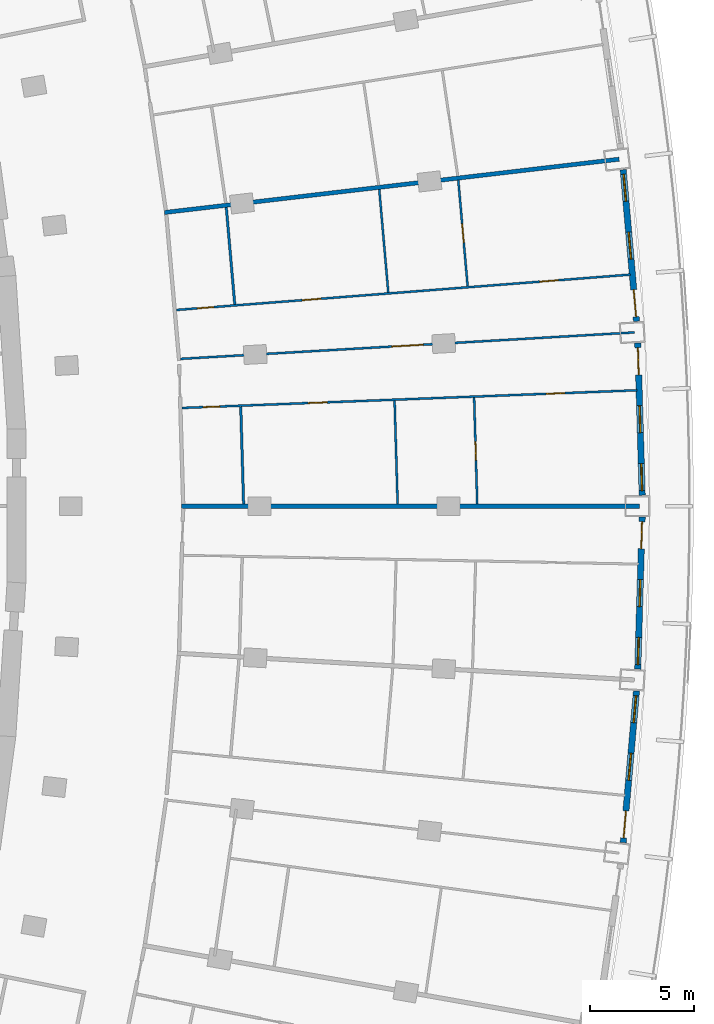
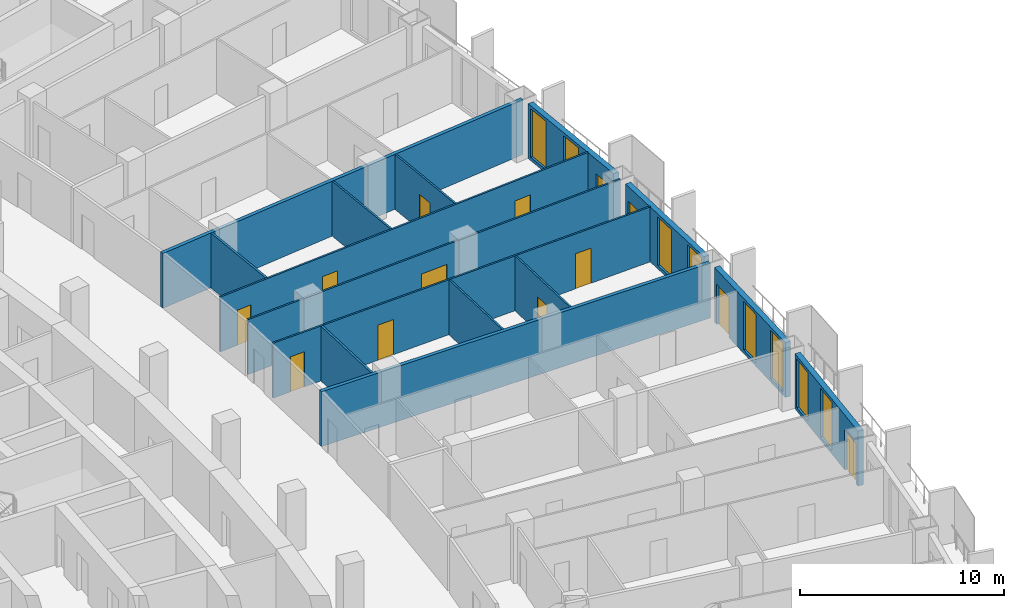
# One storey, part 18 of 25: 15 walls, 13 doors, 8 windows, 21 openings.
"""IFC4 building model written with IfcOpenShell, lengths in metres."""

from ifc_helpers import new_model, si_unit, direction, frame, frame_2d, origin, place, context, subcontext, project, spatial, rectangle, extrude, material, layer, layer_set, type_object, element, fill, save


model = new_model("IFC4")

# Units and contexts
model_context = context("Model", 3, precision=1e-05, world=origin(), true_north=direction((0.0, 1.0)))
body_context = subcontext(model_context, "Body", "Model", "MODEL_VIEW")
ifc_project = project(units=[si_unit("LENGTHUNIT", "METRE"), si_unit("AREAUNIT", "SQUARE_METRE"), si_unit("VOLUMEUNIT", "CUBIC_METRE"), si_unit("PLANEANGLEUNIT", "RADIAN"), si_unit("MASSUNIT", "GRAM", prefix="KILO")], contexts=[model_context])

# Site, building, storey
site_placement = place(None, origin())
site = spatial("IfcSite", under=ifc_project, at=site_placement, CompositionType="ELEMENT")
building_placement = place(site_placement, origin())
building = spatial("IfcBuilding", under=site, at=building_placement, Name="Alderwake Tower", CompositionType="ELEMENT")
storey_placement = place(building_placement, frame((0.0, 0.0, 46.39990234375)))
storey = spatial("IfcBuildingStorey", under=building, at=storey_placement, Name="L10", CompositionType="ELEMENT", Elevation=46.39990234375)

# Wall, openings, door, windows
ifc_material_1 = material(Name="Precast concrete C50/60 spandrel panel", Category="concrete")
ifc_layer_1 = layer(ifc_material_1, 0.300048828125)
ifc_layer_set_1 = layer_set([ifc_layer_1], Name="External wall EW1 Precast concrete C50/60 spandrel")
wall_type_1 = type_object("IfcWallType", Name="External wall EW1 Precast concrete C50/60 spandrel", PredefinedType="SOLIDWALL", material=ifc_layer_set_1)
wall_1_placement = place(storey_placement, frame((62.322021484375, 44.847900390625, 0.0), z_axis=(0.0, 0.0, 1.0), x_axis=(0.087383747715, 0.996174723949, 0.0)))
wall_1 = element("IfcWall", 1, at=wall_1_placement, inside=storey, type_object=wall_type_1, Name="External wall 15", PredefinedType="SOLIDWALL", context=body_context, shape_type="SweptSolid", body=[
    extrude(rectangle(XDim=7.305908203125, YDim=0.300048828125, at=frame_2d((3.65283203125, 0.0))), origin(), (0.0, 0.0, 1.0), 3.280029296875),
])
opening_1_placement = place(wall_1_placement, frame((0.222900390625, 0.0, 0.0)))
opening_1 = element("IfcOpeningElement", 2, at=opening_1_placement, cuts=wall_1, Name="Opening D06", PredefinedType="OPENING", context=body_context, shape_type="SweptSolid", body=[
    extrude(rectangle(XDim=1.300048828125, YDim=2.39990234375, at=frame_2d((0.64990234375, 1.199951171875))), frame((0.0, 0.159912109375, 0.0), z_axis=(0.0, -1.0, 0.0), x_axis=(1.0, 0.0, 0.0)), (0.0, 0.0, 1.0), 0.320068359375),
])
opening_2_placement = place(wall_1_placement, frame((3.0029296875, 0.0, 0.199951171875)))
opening_2 = element("IfcOpeningElement", 3, at=opening_2_placement, cuts=wall_1, Name="Opening W1", PredefinedType="OPENING", context=body_context, shape_type="SweptSolid", body=[
    extrude(rectangle(XDim=1.300048828125, YDim=2.89990234375, at=frame_2d((0.64990234375, 1.449951171875))), frame((0.0, 0.159912109375, 0.0), z_axis=(0.0, -1.0, 0.0), x_axis=(1.0, 0.0, 0.0)), (0.0, 0.0, 1.0), 0.320068359375),
])
opening_3_placement = place(wall_1_placement, frame((5.783203125, 0.0, 0.199951171875)))
opening_3 = element("IfcOpeningElement", 4, at=opening_3_placement, cuts=wall_1, Name="Opening W1", PredefinedType="OPENING", context=body_context, shape_type="SweptSolid", body=[
    extrude(rectangle(XDim=1.300048828125, YDim=2.89990234375, at=frame_2d((0.64990234375, 1.449951171875))), frame((0.0, 0.159912109375, 0.0), z_axis=(0.0, -1.0, 0.0), x_axis=(1.0, 0.0, 0.0)), (0.0, 0.0, 1.0), 0.320068359375),
])
ifc_material_2 = material(Name="Bronze tinted glass in aluminium frame", Category="aluminium")
door_type_1 = type_object("IfcDoorType", Name="Balcony door BD sliding", OperationType="SLIDING_TO_LEFT", PredefinedType="DOOR", material=ifc_material_2)
door_1_placement = place(opening_1_placement, origin())
door_1 = element("IfcDoor", 5, at=door_1_placement, inside=storey, type_object=door_type_1, Name="Door D06", OperationType="SLIDING_TO_LEFT", OverallHeight=2.39990234375, OverallWidth=1.300048828125, PredefinedType="DOOR", context=body_context, shape_type="SweptSolid", body=[
    extrude(rectangle(XDim=1.300048828125, YDim=2.39990234375, at=frame_2d((0.64990234375, 1.199951171875))), frame((0.0, 0.02490234375, 0.0), z_axis=(0.0, -1.0, 0.0), x_axis=(1.0, 0.0, 0.0)), (0.0, 0.0, 1.0), 0.050048828125),
])
fill(opening_1, door_1)
ifc_material_3 = material(Name="Bronze tinted glass in aluminium frame", Category="aluminium")
window_type = type_object("IfcWindowType", Name="Window W1 tall fixed and vent", PartitioningType="DOUBLE_PANEL_VERTICAL", PredefinedType="WINDOW", material=ifc_material_3)
window_1_placement = place(opening_2_placement, origin())
window_1 = element("IfcWindow", 6, at=window_1_placement, inside=storey, type_object=window_type, Name="Window W1 tall fixed and vent", OverallHeight=2.89990234375, OverallWidth=1.300048828125, PartitioningType="DOUBLE_PANEL_VERTICAL", PredefinedType="WINDOW", context=body_context, shape_type="SweptSolid", body=[
    extrude(rectangle(XDim=1.300048828125, YDim=2.89990234375, at=frame_2d((0.64990234375, 1.449951171875))), frame((0.0, 0.030029296875, 0.0), z_axis=(0.0, -1.0, 0.0), x_axis=(1.0, 0.0, 0.0)), (0.0, 0.0, 1.0), 0.06005859375),
])
fill(opening_2, window_1)
window_2_placement = place(opening_3_placement, origin())
window_2 = element("IfcWindow", 7, at=window_2_placement, inside=storey, type_object=window_type, Name="Window W1 tall fixed and vent", OverallHeight=2.89990234375, OverallWidth=1.300048828125, PartitioningType="DOUBLE_PANEL_VERTICAL", PredefinedType="WINDOW", context=body_context, shape_type="SweptSolid", body=[
    extrude(rectangle(XDim=1.300048828125, YDim=2.89990234375, at=frame_2d((0.64990234375, 1.449951171875))), frame((0.0, 0.030029296875, 0.0), z_axis=(0.0, -1.0, 0.0), x_axis=(1.0, 0.0, 0.0)), (0.0, 0.0, 1.0), 0.06005859375),
])
fill(opening_3, window_2)

wall_2_placement = place(storey_placement, frame((63.021728515625, 53.1728515625, 0.0), z_axis=(0.0, 0.0, 1.0), x_axis=(0.029139800133, 0.999575345859, 0.0)))
wall_2 = element("IfcWall", 8, at=wall_2_placement, inside=storey, type_object=wall_type_1, Name="External wall 16", PredefinedType="SOLIDWALL", context=body_context, shape_type="SweptSolid", body=[
    extrude(rectangle(XDim=7.305908203125, YDim=0.300048828125, at=frame_2d((3.65283203125, 0.0))), origin(), (0.0, 0.0, 1.0), 3.280029296875),
])
opening_4_placement = place(wall_2_placement, frame((0.222900390625, 0.0, 0.199951171875)))
opening_4 = element("IfcOpeningElement", 9, at=opening_4_placement, cuts=wall_2, Name="Opening W1", PredefinedType="OPENING", context=body_context, shape_type="SweptSolid", body=[
    extrude(rectangle(XDim=1.300048828125, YDim=2.89990234375, at=frame_2d((0.64990234375, 1.449951171875))), frame((0.0, 0.159912109375, 0.0), z_axis=(0.0, -1.0, 0.0), x_axis=(1.0, 0.0, 0.0)), (0.0, 0.0, 1.0), 0.320068359375),
])
opening_5_placement = place(wall_2_placement, frame((3.0029296875, 0.0, 0.199951171875)))
opening_5 = element("IfcOpeningElement", 10, at=opening_5_placement, cuts=wall_2, Name="Opening W1", PredefinedType="OPENING", context=body_context, shape_type="SweptSolid", body=[
    extrude(rectangle(XDim=1.300048828125, YDim=2.89990234375, at=frame_2d((0.64990234375, 1.449951171875))), frame((0.0, 0.159912109375, 0.0), z_axis=(0.0, -1.0, 0.0), x_axis=(1.0, 0.0, 0.0)), (0.0, 0.0, 1.0), 0.320068359375),
])
opening_6_placement = place(wall_2_placement, frame((5.783203125, 0.0, 0.0)))
opening_6 = element("IfcOpeningElement", 11, at=opening_6_placement, cuts=wall_2, Name="Opening D07", PredefinedType="OPENING", context=body_context, shape_type="SweptSolid", body=[
    extrude(rectangle(XDim=1.300048828125, YDim=2.39990234375, at=frame_2d((0.64990234375, 1.199951171875))), frame((0.0, 0.159912109375, 0.0), z_axis=(0.0, -1.0, 0.0), x_axis=(1.0, 0.0, 0.0)), (0.0, 0.0, 1.0), 0.320068359375),
])
door_2_placement = place(opening_6_placement, origin())
door_2 = element("IfcDoor", 12, at=door_2_placement, inside=storey, type_object=door_type_1, Name="Door D07", OperationType="SLIDING_TO_LEFT", OverallHeight=2.39990234375, OverallWidth=1.300048828125, PredefinedType="DOOR", context=body_context, shape_type="SweptSolid", body=[
    extrude(rectangle(XDim=1.300048828125, YDim=2.39990234375, at=frame_2d((0.64990234375, 1.199951171875))), frame((0.0, 0.02490234375, 0.0), z_axis=(0.0, -1.0, 0.0), x_axis=(1.0, 0.0, 0.0)), (0.0, 0.0, 1.0), 0.050048828125),
])
fill(opening_6, door_2)
window_3_placement = place(opening_4_placement, origin())
window_3 = element("IfcWindow", 13, at=window_3_placement, inside=storey, type_object=window_type, Name="Window W1 tall fixed and vent", OverallHeight=2.89990234375, OverallWidth=1.300048828125, PartitioningType="DOUBLE_PANEL_VERTICAL", PredefinedType="WINDOW", context=body_context, shape_type="SweptSolid", body=[
    extrude(rectangle(XDim=1.300048828125, YDim=2.89990234375, at=frame_2d((0.64990234375, 1.449951171875))), frame((0.0, 0.030029296875, 0.0), z_axis=(0.0, -1.0, 0.0), x_axis=(1.0, 0.0, 0.0)), (0.0, 0.0, 1.0), 0.06005859375),
])
fill(opening_4, window_3)
window_4_placement = place(opening_5_placement, origin())
window_4 = element("IfcWindow", 14, at=window_4_placement, inside=storey, type_object=window_type, Name="Window W1 tall fixed and vent", OverallHeight=2.89990234375, OverallWidth=1.300048828125, PartitioningType="DOUBLE_PANEL_VERTICAL", PredefinedType="WINDOW", context=body_context, shape_type="SweptSolid", body=[
    extrude(rectangle(XDim=1.300048828125, YDim=2.89990234375, at=frame_2d((0.64990234375, 1.449951171875))), frame((0.0, 0.030029296875, 0.0), z_axis=(0.0, -1.0, 0.0), x_axis=(1.0, 0.0, 0.0)), (0.0, 0.0, 1.0), 0.06005859375),
])
fill(opening_5, window_4)

wall_3_placement = place(storey_placement, frame((63.234619140625, 61.5244140625, 0.0), z_axis=(0.0, 0.0, 1.0), x_axis=(-0.029139800133, 0.999575345859, 0.0)))
wall_3 = element("IfcWall", 15, at=wall_3_placement, inside=storey, type_object=wall_type_1, Name="External wall 17", PredefinedType="SOLIDWALL", context=body_context, shape_type="SweptSolid", body=[
    extrude(rectangle(XDim=7.305908203125, YDim=0.300048828125, at=frame_2d((3.65283203125, 0.0))), origin(), (0.0, 0.0, 1.0), 3.280029296875),
])
opening_7_placement = place(wall_3_placement, frame((0.222900390625, 0.0, 0.199951171875)))
opening_7 = element("IfcOpeningElement", 16, at=opening_7_placement, cuts=wall_3, Name="Opening W1", PredefinedType="OPENING", context=body_context, shape_type="SweptSolid", body=[
    extrude(rectangle(XDim=1.300048828125, YDim=2.89990234375, at=frame_2d((0.64990234375, 1.449951171875))), frame((0.0, 0.159912109375, 0.0), z_axis=(0.0, -1.0, 0.0), x_axis=(1.0, 0.0, 0.0)), (0.0, 0.0, 1.0), 0.320068359375),
])
opening_8_placement = place(wall_3_placement, frame((3.0029296875, 0.0, 0.199951171875)))
opening_8 = element("IfcOpeningElement", 17, at=opening_8_placement, cuts=wall_3, Name="Opening W1", PredefinedType="OPENING", context=body_context, shape_type="SweptSolid", body=[
    extrude(rectangle(XDim=1.300048828125, YDim=2.89990234375, at=frame_2d((0.64990234375, 1.449951171875))), frame((0.0, 0.159912109375, 0.0), z_axis=(0.0, -1.0, 0.0), x_axis=(1.0, 0.0, 0.0)), (0.0, 0.0, 1.0), 0.320068359375),
])
opening_9_placement = place(wall_3_placement, frame((5.783203125, 0.0, 0.0)))
opening_9 = element("IfcOpeningElement", 18, at=opening_9_placement, cuts=wall_3, Name="Opening D08", PredefinedType="OPENING", context=body_context, shape_type="SweptSolid", body=[
    extrude(rectangle(XDim=1.300048828125, YDim=2.39990234375, at=frame_2d((0.64990234375, 1.199951171875))), frame((0.0, 0.159912109375, 0.0), z_axis=(0.0, -1.0, 0.0), x_axis=(1.0, 0.0, 0.0)), (0.0, 0.0, 1.0), 0.320068359375),
])
door_3_placement = place(opening_9_placement, origin())
door_3 = element("IfcDoor", 19, at=door_3_placement, inside=storey, type_object=door_type_1, Name="Door D08", OperationType="SLIDING_TO_LEFT", OverallHeight=2.39990234375, OverallWidth=1.300048828125, PredefinedType="DOOR", context=body_context, shape_type="SweptSolid", body=[
    extrude(rectangle(XDim=1.300048828125, YDim=2.39990234375, at=frame_2d((0.64990234375, 1.199951171875))), frame((0.0, 0.02490234375, 0.0), z_axis=(0.0, -1.0, 0.0), x_axis=(1.0, 0.0, 0.0)), (0.0, 0.0, 1.0), 0.050048828125),
])
fill(opening_9, door_3)
window_5_placement = place(opening_7_placement, origin())
window_5 = element("IfcWindow", 20, at=window_5_placement, inside=storey, type_object=window_type, Name="Window W1 tall fixed and vent", OverallHeight=2.89990234375, OverallWidth=1.300048828125, PartitioningType="DOUBLE_PANEL_VERTICAL", PredefinedType="WINDOW", context=body_context, shape_type="SweptSolid", body=[
    extrude(rectangle(XDim=1.300048828125, YDim=2.89990234375, at=frame_2d((0.64990234375, 1.449951171875))), frame((0.0, 0.030029296875, 0.0), z_axis=(0.0, -1.0, 0.0), x_axis=(1.0, 0.0, 0.0)), (0.0, 0.0, 1.0), 0.06005859375),
])
fill(opening_7, window_5)
window_6_placement = place(opening_8_placement, origin())
window_6 = element("IfcWindow", 21, at=window_6_placement, inside=storey, type_object=window_type, Name="Window W1 tall fixed and vent", OverallHeight=2.89990234375, OverallWidth=1.300048828125, PartitioningType="DOUBLE_PANEL_VERTICAL", PredefinedType="WINDOW", context=body_context, shape_type="SweptSolid", body=[
    extrude(rectangle(XDim=1.300048828125, YDim=2.89990234375, at=frame_2d((0.64990234375, 1.449951171875))), frame((0.0, 0.030029296875, 0.0), z_axis=(0.0, -1.0, 0.0), x_axis=(1.0, 0.0, 0.0)), (0.0, 0.0, 1.0), 0.06005859375),
])
fill(opening_8, window_6)

wall_4_placement = place(storey_placement, frame((62.96044921875, 69.8740234375, 0.0), z_axis=(0.0, 0.0, 1.0), x_axis=(-0.087383747715, 0.996174723949, 0.0)))
wall_4 = element("IfcWall", 22, at=wall_4_placement, inside=storey, type_object=wall_type_1, Name="External wall 18", PredefinedType="SOLIDWALL", context=body_context, shape_type="SweptSolid", body=[
    extrude(rectangle(XDim=7.305908203125, YDim=0.300048828125, at=frame_2d((3.65283203125, 0.0))), origin(), (0.0, 0.0, 1.0), 3.280029296875),
])
opening_10_placement = place(wall_4_placement, frame((0.222900390625, 0.0, 0.0)))
opening_10 = element("IfcOpeningElement", 23, at=opening_10_placement, cuts=wall_4, Name="Opening D09", PredefinedType="OPENING", context=body_context, shape_type="SweptSolid", body=[
    extrude(rectangle(XDim=1.300048828125, YDim=2.39990234375, at=frame_2d((0.64990234375, 1.199951171875))), frame((0.0, 0.159912109375, 0.0), z_axis=(0.0, -1.0, 0.0), x_axis=(1.0, 0.0, 0.0)), (0.0, 0.0, 1.0), 0.320068359375),
])
opening_11_placement = place(wall_4_placement, frame((3.0029296875, 0.0, 0.199951171875)))
opening_11 = element("IfcOpeningElement", 24, at=opening_11_placement, cuts=wall_4, Name="Opening W1", PredefinedType="OPENING", context=body_context, shape_type="SweptSolid", body=[
    extrude(rectangle(XDim=1.300048828125, YDim=2.89990234375, at=frame_2d((0.64990234375, 1.449951171875))), frame((0.0, 0.159912109375, 0.0), z_axis=(0.0, -1.0, 0.0), x_axis=(1.0, 0.0, 0.0)), (0.0, 0.0, 1.0), 0.320068359375),
])
opening_12_placement = place(wall_4_placement, frame((5.783203125, 0.0, 0.199951171875)))
opening_12 = element("IfcOpeningElement", 25, at=opening_12_placement, cuts=wall_4, Name="Opening W1", PredefinedType="OPENING", context=body_context, shape_type="SweptSolid", body=[
    extrude(rectangle(XDim=1.300048828125, YDim=2.89990234375, at=frame_2d((0.64990234375, 1.449951171875))), frame((0.0, 0.159912109375, 0.0), z_axis=(0.0, -1.0, 0.0), x_axis=(1.0, 0.0, 0.0)), (0.0, 0.0, 1.0), 0.320068359375),
])
door_4_placement = place(opening_10_placement, origin())
door_4 = element("IfcDoor", 26, at=door_4_placement, inside=storey, type_object=door_type_1, Name="Door D09", OperationType="SLIDING_TO_LEFT", OverallHeight=2.39990234375, OverallWidth=1.300048828125, PredefinedType="DOOR", context=body_context, shape_type="SweptSolid", body=[
    extrude(rectangle(XDim=1.300048828125, YDim=2.39990234375, at=frame_2d((0.64990234375, 1.199951171875))), frame((0.0, 0.02490234375, 0.0), z_axis=(0.0, -1.0, 0.0), x_axis=(1.0, 0.0, 0.0)), (0.0, 0.0, 1.0), 0.050048828125),
])
fill(opening_10, door_4)
window_7_placement = place(opening_11_placement, origin())
window_7 = element("IfcWindow", 27, at=window_7_placement, inside=storey, type_object=window_type, Name="Window W1 tall fixed and vent", OverallHeight=2.89990234375, OverallWidth=1.300048828125, PartitioningType="DOUBLE_PANEL_VERTICAL", PredefinedType="WINDOW", context=body_context, shape_type="SweptSolid", body=[
    extrude(rectangle(XDim=1.300048828125, YDim=2.89990234375, at=frame_2d((0.64990234375, 1.449951171875))), frame((0.0, 0.030029296875, 0.0), z_axis=(0.0, -1.0, 0.0), x_axis=(1.0, 0.0, 0.0)), (0.0, 0.0, 1.0), 0.06005859375),
])
fill(opening_11, window_7)
window_8_placement = place(opening_12_placement, origin())
window_8 = element("IfcWindow", 28, at=window_8_placement, inside=storey, type_object=window_type, Name="Window W1 tall fixed and vent", OverallHeight=2.89990234375, OverallWidth=1.300048828125, PartitioningType="DOUBLE_PANEL_VERTICAL", PredefinedType="WINDOW", context=body_context, shape_type="SweptSolid", body=[
    extrude(rectangle(XDim=1.300048828125, YDim=2.89990234375, at=frame_2d((0.64990234375, 1.449951171875))), frame((0.0, 0.030029296875, 0.0), z_axis=(0.0, -1.0, 0.0), x_axis=(1.0, 0.0, 0.0)), (0.0, 0.0, 1.0), 0.06005859375),
])
fill(opening_12, window_8)

# Walls
ifc_material_4 = material(Name="Dense block masonry wall", Category="masonry")
ifc_layer_2 = layer(ifc_material_4, 0.199951171875)
ifc_layer_set_2 = layer_set([ifc_layer_2], Name="Party wall 200")
wall_type_2 = type_object("IfcWallType", Name="Party wall 200", PredefinedType="SOLIDWALL", material=ifc_layer_set_2)
wall_5_placement = place(storey_placement, frame((40.297607421875, 75.0986328125, 0.0), z_axis=(0.0, 0.0, 1.0), x_axis=(0.993197155968, 0.116444876987, 0.0)))
element("IfcWall", 29, at=wall_5_placement, inside=storey, type_object=wall_type_2, Name="WL/L10/W06", PredefinedType="SOLIDWALL", context=body_context, shape_type="SweptSolid", body=[
    extrude(rectangle(XDim=21.978759765625, YDim=0.199951171875, at=frame_2d((10.9892578125, 0.0))), origin(), (0.0, 0.0, 1.0), 3.280029296875),
])
wall_6_placement = place(storey_placement, frame((63.09912109375, 60.9990234375, 0.0), z_axis=(0.0, 0.0, 1.0), x_axis=(-1.0, 0.0, 0.0)))
element("IfcWall", 30, at=wall_6_placement, inside=storey, type_object=wall_type_2, Name="WL/L10/W11", PredefinedType="SOLIDWALL", context=body_context, shape_type="SweptSolid", body=[
    extrude(rectangle(XDim=21.980224609375, YDim=0.199951171875, at=frame_2d((10.990234375, 0.0))), origin(), (0.0, 0.0, 1.0), 3.280029296875),
])

# Wall, openings, doors
ifc_material_5 = material(Name="Gypsum board on metal studs")
ifc_layer_3 = layer(ifc_material_5, 0.10009765625)
ifc_layer_set_3 = layer_set([ifc_layer_3], Name="Unit partition 100")
wall_type_3 = type_object("IfcWallType", Name="Unit partition 100", PredefinedType="PARTITIONING", material=ifc_layer_set_3)
wall_7_placement = place(storey_placement, frame((40.867919921875, 70.419189453125, 0.0), z_axis=(0.0, 0.0, 1.0), x_axis=(0.996980121619, 0.077657176717, 0.0)))
wall_7 = element("IfcWall", 31, at=wall_7_placement, inside=storey, type_object=wall_type_3, Name="WL/L10/W70", PredefinedType="PARTITIONING", context=body_context, shape_type="SweptSolid", body=[
    extrude(rectangle(XDim=21.862060546875, YDim=0.10009765625, at=frame_2d((10.93115234375, 0.0))), origin(), (0.0, 0.0, 1.0), 3.280029296875),
])
opening_13_placement = place(wall_7_placement, frame((6.064697265625, 0.0, 0.0)))
opening_13 = element("IfcOpeningElement", 32, at=opening_13_placement, cuts=wall_7, Name="Opening R02-U08.6", PredefinedType="OPENING", context=body_context, shape_type="SweptSolid", body=[
    extrude(rectangle(XDim=0.89990234375, YDim=2.10009765625, at=frame_2d((0.449951171875, 1.050048828125))), frame((0.0, 0.06005859375, 0.0), z_axis=(0.0, -1.0, 0.0), x_axis=(1.0, 0.0, 0.0)), (0.0, 0.0, 1.0), 0.1201171875),
])
opening_14_placement = place(wall_7_placement, frame((1.009521484375, 0.0, 0.0)))
opening_14 = element("IfcOpeningElement", 33, at=opening_14_placement, cuts=wall_7, Name="Opening R02-U08.7", PredefinedType="OPENING", context=body_context, shape_type="SweptSolid", body=[
    extrude(rectangle(XDim=0.800048828125, YDim=2.10009765625, at=frame_2d((0.39990234375, 1.050048828125))), frame((0.0, 0.06005859375, 0.0), z_axis=(0.0, -1.0, 0.0), x_axis=(1.0, 0.0, 0.0)), (0.0, 0.0, 1.0), 0.1201171875),
])
opening_15_placement = place(wall_7_placement, frame((17.496826171875, 0.0, 0.0)))
opening_15 = element("IfcOpeningElement", 34, at=opening_15_placement, cuts=wall_7, Name="Opening R02-U08.8", PredefinedType="OPENING", context=body_context, shape_type="SweptSolid", body=[
    extrude(rectangle(XDim=0.89990234375, YDim=2.10009765625, at=frame_2d((0.449951171875, 1.050048828125))), frame((0.0, 0.06005859375, 0.0), z_axis=(0.0, -1.0, 0.0), x_axis=(1.0, 0.0, 0.0)), (0.0, 0.0, 1.0), 0.1201171875),
])
ifc_material_6 = material(Name="Painted timber leaf", Category="wood")
door_type_2 = type_object("IfcDoorType", Name="Bathroom door 800", OperationType="SINGLE_SWING_LEFT", PredefinedType="DOOR", material=ifc_material_6)
door_5_placement = place(opening_14_placement, origin())
door_5 = element("IfcDoor", 35, at=door_5_placement, inside=storey, type_object=door_type_2, Name="DR/L10/U08.7", OperationType="SINGLE_SWING_LEFT", OverallHeight=2.10009765625, OverallWidth=0.800048828125, PredefinedType="DOOR", context=body_context, shape_type="SweptSolid", body=[
    extrude(rectangle(XDim=0.800048828125, YDim=2.10009765625, at=frame_2d((0.39990234375, 1.050048828125))), frame((0.0, 0.02490234375, 0.0), z_axis=(0.0, -1.0, 0.0), x_axis=(1.0, 0.0, 0.0)), (0.0, 0.0, 1.0), 0.050048828125),
])
fill(opening_14, door_5)
ifc_material_7 = material(Name="Painted timber leaf", Category="wood")
door_type_3 = type_object("IfcDoorType", Name="Room door 900", OperationType="SINGLE_SWING_LEFT", PredefinedType="DOOR", material=ifc_material_7)
door_6_placement = place(opening_13_placement, origin())
door_6 = element("IfcDoor", 36, at=door_6_placement, inside=storey, type_object=door_type_3, Name="DR/L10/U08.6", OperationType="SINGLE_SWING_LEFT", OverallHeight=2.10009765625, OverallWidth=0.89990234375, PredefinedType="DOOR", context=body_context, shape_type="SweptSolid", body=[
    extrude(rectangle(XDim=0.89990234375, YDim=2.10009765625, at=frame_2d((0.449951171875, 1.050048828125))), frame((0.0, 0.02490234375, 0.0), z_axis=(0.0, -1.0, 0.0), x_axis=(1.0, 0.0, 0.0)), (0.0, 0.0, 1.0), 0.050048828125),
])
fill(opening_13, door_6)
door_7_placement = place(opening_15_placement, origin())
door_7 = element("IfcDoor", 37, at=door_7_placement, inside=storey, type_object=door_type_3, Name="DR/L10/U08.8", OperationType="SINGLE_SWING_LEFT", OverallHeight=2.10009765625, OverallWidth=0.89990234375, PredefinedType="DOOR", context=body_context, shape_type="SweptSolid", body=[
    extrude(rectangle(XDim=0.89990234375, YDim=2.10009765625, at=frame_2d((0.449951171875, 1.050048828125))), frame((0.0, 0.02490234375, 0.0), z_axis=(0.0, -1.0, 0.0), x_axis=(1.0, 0.0, 0.0)), (0.0, 0.0, 1.0), 0.050048828125),
])
fill(opening_15, door_7)

wall_8_placement = place(storey_placement, frame((62.988037109375, 66.56396484375, 0.0), z_axis=(0.0, 0.0, 1.0), x_axis=(-0.999245786786, -0.038831142015, 0.0)))
wall_8 = element("IfcWall", 38, at=wall_8_placement, inside=storey, type_object=wall_type_3, Name="WL/L10/W71", PredefinedType="PARTITIONING", context=body_context, shape_type="SweptSolid", body=[
    extrude(rectangle(XDim=21.86083984375, YDim=0.10009765625, at=frame_2d((10.930419921875, 0.0))), origin(), (0.0, 0.0, 1.0), 3.280029296875),
])
opening_16_placement = place(wall_8_placement, frame((14.8974609375, 0.0, 0.0)))
opening_16 = element("IfcOpeningElement", 39, at=opening_16_placement, cuts=wall_8, Name="Opening R02-U08.1", PredefinedType="OPENING", context=body_context, shape_type="SweptSolid", body=[
    extrude(rectangle(XDim=0.89990234375, YDim=2.10009765625, at=frame_2d((0.449951171875, 1.050048828125))), frame((0.0, 0.06005859375, 0.0), z_axis=(0.0, -1.0, 0.0), x_axis=(1.0, 0.0, 0.0)), (0.0, 0.0, 1.0), 0.1201171875),
])
opening_17_placement = place(wall_8_placement, frame((20.0517578125, 0.0, 0.0)))
opening_17 = element("IfcOpeningElement", 40, at=opening_17_placement, cuts=wall_8, Name="Opening R02-U08.4", PredefinedType="OPENING", context=body_context, shape_type="SweptSolid", body=[
    extrude(rectangle(XDim=0.800048828125, YDim=2.10009765625, at=frame_2d((0.39990234375, 1.050048828125))), frame((0.0, 0.06005859375, 0.0), z_axis=(0.0, -1.0, 0.0), x_axis=(1.0, 0.0, 0.0)), (0.0, 0.0, 1.0), 0.1201171875),
])
opening_18_placement = place(wall_8_placement, frame((3.46533203125, 0.0, 0.0)))
opening_18 = element("IfcOpeningElement", 41, at=opening_18_placement, cuts=wall_8, Name="Opening R02-U08.5", PredefinedType="OPENING", context=body_context, shape_type="SweptSolid", body=[
    extrude(rectangle(XDim=0.89990234375, YDim=2.10009765625, at=frame_2d((0.449951171875, 1.050048828125))), frame((0.0, 0.06005859375, 0.0), z_axis=(0.0, -1.0, 0.0), x_axis=(1.0, 0.0, 0.0)), (0.0, 0.0, 1.0), 0.1201171875),
])
door_8_placement = place(opening_17_placement, origin())
door_8 = element("IfcDoor", 42, at=door_8_placement, inside=storey, type_object=door_type_2, Name="DR/L10/U08.4", OperationType="SINGLE_SWING_LEFT", OverallHeight=2.10009765625, OverallWidth=0.800048828125, PredefinedType="DOOR", context=body_context, shape_type="SweptSolid", body=[
    extrude(rectangle(XDim=0.800048828125, YDim=2.10009765625, at=frame_2d((0.39990234375, 1.050048828125))), frame((0.0, 0.02490234375, 0.0), z_axis=(0.0, -1.0, 0.0), x_axis=(1.0, 0.0, 0.0)), (0.0, 0.0, 1.0), 0.050048828125),
])
fill(opening_17, door_8)
door_9_placement = place(opening_16_placement, origin())
door_9 = element("IfcDoor", 43, at=door_9_placement, inside=storey, type_object=door_type_3, Name="DR/L10/U08.1", OperationType="SINGLE_SWING_LEFT", OverallHeight=2.10009765625, OverallWidth=0.89990234375, PredefinedType="DOOR", context=body_context, shape_type="SweptSolid", body=[
    extrude(rectangle(XDim=0.89990234375, YDim=2.10009765625, at=frame_2d((0.449951171875, 1.050048828125))), frame((0.0, 0.02490234375, 0.0), z_axis=(0.0, -1.0, 0.0), x_axis=(1.0, 0.0, 0.0)), (0.0, 0.0, 1.0), 0.050048828125),
])
fill(opening_16, door_9)
door_10_placement = place(opening_18_placement, origin())
door_10 = element("IfcDoor", 44, at=door_10_placement, inside=storey, type_object=door_type_3, Name="DR/L10/U08.5", OperationType="SINGLE_SWING_LEFT", OverallHeight=2.10009765625, OverallWidth=0.89990234375, PredefinedType="DOOR", context=body_context, shape_type="SweptSolid", body=[
    extrude(rectangle(XDim=0.89990234375, YDim=2.10009765625, at=frame_2d((0.449951171875, 1.050048828125))), frame((0.0, 0.02490234375, 0.0), z_axis=(0.0, -1.0, 0.0), x_axis=(1.0, 0.0, 0.0)), (0.0, 0.0, 1.0), 0.050048828125),
])
fill(opening_18, door_10)

# Walls
wall_9_placement = place(storey_placement, frame((51.043701171875, 71.263916015625, 0.0), z_axis=(0.0, 0.0, 1.0), x_axis=(-0.087460009474, 0.99616803138, 0.0)))
element("IfcWall", 45, at=wall_9_placement, inside=storey, type_object=wall_type_3, Name="WL/L10/W81", PredefinedType="PARTITIONING", context=body_context, shape_type="SweptSolid", body=[
    extrude(rectangle(XDim=4.96044921875, YDim=0.10009765625, at=frame_2d((2.480224609375, 0.0))), origin(), (0.0, 0.0, 1.0), 3.280029296875),
])
wall_10_placement = place(storey_placement, frame((51.4921875, 61.09912109375, 0.0), z_axis=(0.0, 0.0, 1.0), x_axis=(-0.029361474552, 0.999568858965, 0.0)))
element("IfcWall", 46, at=wall_10_placement, inside=storey, type_object=wall_type_3, Name="WL/L10/W84", PredefinedType="PARTITIONING", context=body_context, shape_type="SweptSolid", body=[
    extrude(rectangle(XDim=4.964111328125, YDim=0.10009765625, at=frame_2d((2.48193359375, 0.0))), origin(), (0.0, 0.0, 1.0), 3.280029296875),
])

# Wall, opening, door
wall_11_placement = place(storey_placement, frame((54.853515625, 71.560791015625, 0.0), z_axis=(0.0, 0.0, 1.0), x_axis=(-0.087792047863, 0.996138823825, 0.0)))
wall_11 = element("IfcWall", 47, at=wall_11_placement, inside=storey, type_object=wall_type_3, Name="WL/L10/W90", PredefinedType="PARTITIONING", context=body_context, shape_type="SweptSolid", body=[
    extrude(rectangle(XDim=5.111328125, YDim=0.10009765625, at=frame_2d((2.5556640625, 0.0))), origin(), (0.0, 0.0, 1.0), 3.280029296875),
])
opening_19_placement = place(wall_11_placement, frame((2.105712890625, 0.0, 0.0)))
opening_19 = element("IfcOpeningElement", 48, at=opening_19_placement, cuts=wall_11, Name="Opening R02-U08.9", PredefinedType="OPENING", context=body_context, shape_type="SweptSolid", body=[
    extrude(rectangle(XDim=0.89990234375, YDim=2.10009765625, at=frame_2d((0.449951171875, 1.050048828125))), frame((0.0, 0.06005859375, 0.0), z_axis=(0.0, -1.0, 0.0), x_axis=(1.0, 0.0, 0.0)), (0.0, 0.0, 1.0), 0.1201171875),
])
door_11_placement = place(opening_19_placement, origin())
door_11 = element("IfcDoor", 49, at=door_11_placement, inside=storey, type_object=door_type_3, Name="DR/L10/U08.9", OperationType="SINGLE_SWING_LEFT", OverallHeight=2.10009765625, OverallWidth=0.89990234375, PredefinedType="DOOR", context=body_context, shape_type="SweptSolid", body=[
    extrude(rectangle(XDim=0.89990234375, YDim=2.10009765625, at=frame_2d((0.449951171875, 1.050048828125))), frame((0.0, 0.02490234375, 0.0), z_axis=(0.0, -1.0, 0.0), x_axis=(1.0, 0.0, 0.0)), (0.0, 0.0, 1.0), 0.050048828125),
])
fill(opening_19, door_11)

wall_12_placement = place(storey_placement, frame((55.314208984375, 61.09912109375, 0.0), z_axis=(0.0, 0.0, 1.0), x_axis=(-0.029090235345, 0.99957678955, 0.0)))
wall_12 = element("IfcWall", 50, at=wall_12_placement, inside=storey, type_object=wall_type_3, Name="WL/L10/W92", PredefinedType="PARTITIONING", context=body_context, shape_type="SweptSolid", body=[
    extrude(rectangle(XDim=5.111083984375, YDim=0.10009765625, at=frame_2d((2.5556640625, 0.0))), origin(), (0.0, 0.0, 1.0), 3.280029296875),
])
opening_20_placement = place(wall_12_placement, frame((2.105712890625, 0.0, 0.0)))
opening_20 = element("IfcOpeningElement", 51, at=opening_20_placement, cuts=wall_12, Name="Opening R02-U08.2", PredefinedType="OPENING", context=body_context, shape_type="SweptSolid", body=[
    extrude(rectangle(XDim=0.89990234375, YDim=2.10009765625, at=frame_2d((0.449951171875, 1.050048828125))), frame((0.0, 0.06005859375, 0.0), z_axis=(0.0, -1.0, 0.0), x_axis=(1.0, 0.0, 0.0)), (0.0, 0.0, 1.0), 0.1201171875),
])
door_12_placement = place(opening_20_placement, origin())
door_12 = element("IfcDoor", 52, at=door_12_placement, inside=storey, type_object=door_type_3, Name="DR/L10/U08.2", OperationType="SINGLE_SWING_LEFT", OverallHeight=2.10009765625, OverallWidth=0.89990234375, PredefinedType="DOOR", context=body_context, shape_type="SweptSolid", body=[
    extrude(rectangle(XDim=0.89990234375, YDim=2.10009765625, at=frame_2d((0.449951171875, 1.050048828125))), frame((0.0, 0.02490234375, 0.0), z_axis=(0.0, -1.0, 0.0), x_axis=(1.0, 0.0, 0.0)), (0.0, 0.0, 1.0), 0.050048828125),
])
fill(opening_20, door_12)

wall_13_placement = place(storey_placement, frame((41.074951171875, 68.07177734375, 0.0), z_axis=(0.0, 0.0, 1.0), x_axis=(0.998303726886, 0.058220862983, 0.0)))
wall_13 = element("IfcWall", 53, at=wall_13_placement, inside=storey, type_object=wall_type_3, Name="WL/L10/W93", PredefinedType="PARTITIONING", context=body_context, shape_type="SweptSolid", body=[
    extrude(rectangle(XDim=21.818115234375, YDim=0.10009765625, at=frame_2d((10.9091796875, 0.0))), origin(), (0.0, 0.0, 1.0), 3.280029296875),
])
opening_21_placement = place(wall_13_placement, frame((10.1591796875, 0.0, 0.0)))
opening_21 = element("IfcOpeningElement", 54, at=opening_21_placement, cuts=wall_13, Name="Opening R02-U08.10", PredefinedType="OPENING", context=body_context, shape_type="SweptSolid", body=[
    extrude(rectangle(XDim=1.5, YDim=2.10009765625, at=frame_2d((0.75, 1.050048828125))), frame((0.0, 0.06005859375, 0.0), z_axis=(0.0, -1.0, 0.0), x_axis=(1.0, 0.0, 0.0)), (0.0, 0.0, 1.0), 0.1201171875),
])
ifc_material_8 = material(Name="Painted timber leaves", Category="wood")
door_type_4 = type_object("IfcDoorType", Name="Double leaf door 1500", OperationType="DOUBLE_DOOR_SINGLE_SWING", PredefinedType="DOOR", material=ifc_material_8)
door_13_placement = place(opening_21_placement, origin())
door_13 = element("IfcDoor", 55, at=door_13_placement, inside=storey, type_object=door_type_4, Name="DR/L10/U08.10", OperationType="DOUBLE_DOOR_SINGLE_SWING", OverallHeight=2.10009765625, OverallWidth=1.5, PredefinedType="DOOR", context=body_context, shape_type="SweptSolid", body=[
    extrude(rectangle(XDim=1.5, YDim=2.10009765625, at=frame_2d((0.75, 1.050048828125))), frame((0.0, 0.02490234375, 0.0), z_axis=(0.0, -1.0, 0.0), x_axis=(1.0, 0.0, 0.0)), (0.0, 0.0, 1.0), 0.050048828125),
])
fill(opening_21, door_13)

# Walls
ifc_material_9 = material(Name="Moisture resistant gypsum board on metal studs")
ifc_layer_4 = layer(ifc_material_9, 0.1201171875)
ifc_layer_set_4 = layer_set([ifc_layer_4], Name="Wet room partition 120")
wall_type_4 = type_object("IfcWallType", Name="Wet room partition 120", PredefinedType="PARTITIONING", material=ifc_layer_set_4)
wall_14_placement = place(storey_placement, frame((43.672607421875, 70.687744140625, 0.0), z_axis=(0.0, 0.0, 1.0), x_axis=(-0.087010256841, 0.996207415755, 0.0)))
element("IfcWall", 56, at=wall_14_placement, inside=storey, type_object=wall_type_4, Name="WL/L10/W56", PredefinedType="PARTITIONING", context=body_context, shape_type="SweptSolid", body=[
    extrude(rectangle(XDim=4.677490234375, YDim=0.1201171875, at=frame_2d((2.3388671875, 0.0))), origin(), (0.0, 0.0, 1.0), 3.280029296875),
])
wall_15_placement = place(storey_placement, frame((44.09716796875, 61.09912109375, 0.0), z_axis=(0.0, 0.0, 1.0), x_axis=(-0.029239477833, 0.999572435062, 0.0)))
element("IfcWall", 57, at=wall_15_placement, inside=storey, type_object=wall_type_4, Name="WL/L10/W58", PredefinedType="PARTITIONING", context=body_context, shape_type="SweptSolid", body=[
    extrude(rectangle(XDim=4.67578125, YDim=0.1201171875, at=frame_2d((2.337890625, 0.0))), origin(), (0.0, 0.0, 1.0), 3.280029296875),
])

save(model, "model.ifc")
